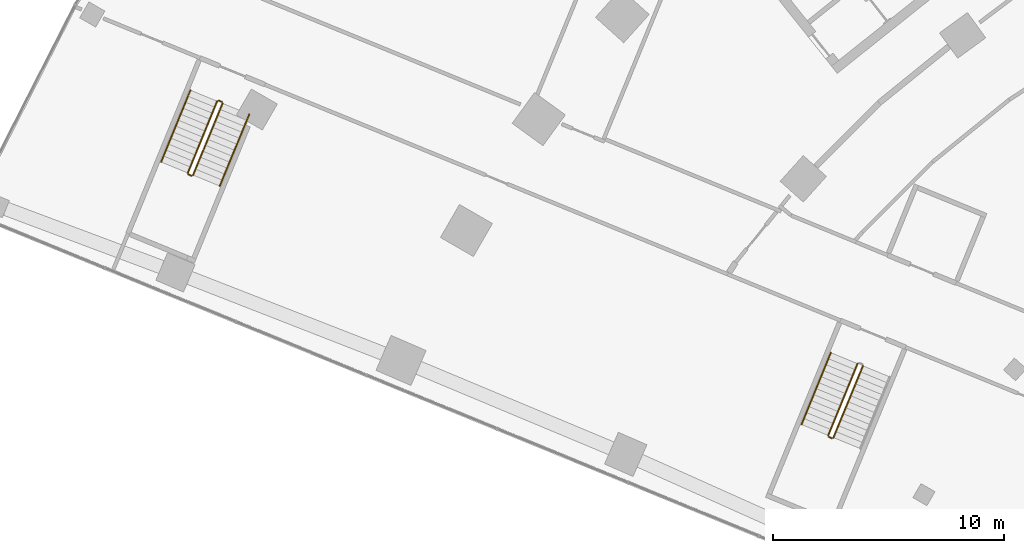
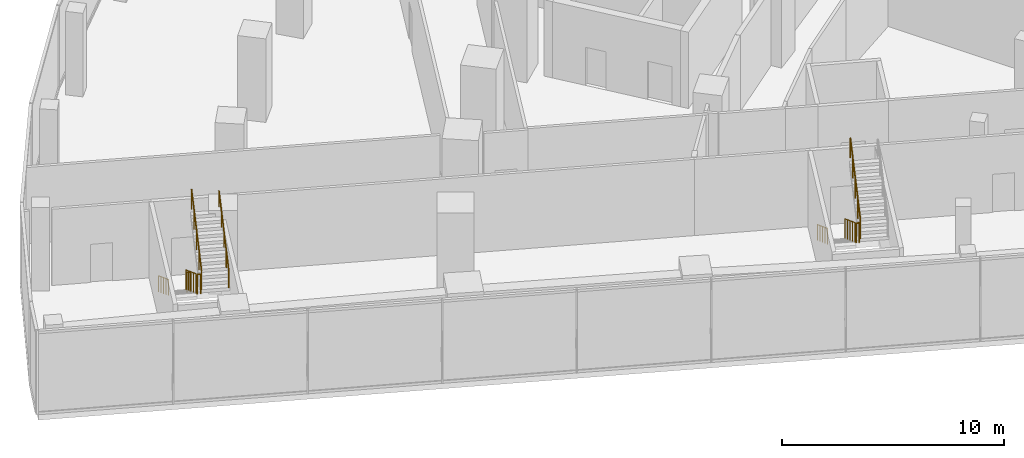
# One storey, part 32 of 39: 10 railings.
"""IFC4 building model written with IfcOpenShell, lengths in metres."""

from ifc_helpers import new_model, si_unit, direction, frame, origin, origin_2d, place, context, subcontext, project, spatial, circle, extrude, material, type_object, element, save


model = new_model("IFC4")

# Units and contexts
model_context = context("Model", 3, precision=1e-05, world=origin(), true_north=direction((0.0, 1.0)))
body_context = subcontext(model_context, "Body", "Model", "MODEL_VIEW")
ifc_project = project(units=[si_unit("LENGTHUNIT", "METRE"), si_unit("AREAUNIT", "SQUARE_METRE"), si_unit("VOLUMEUNIT", "CUBIC_METRE"), si_unit("PLANEANGLEUNIT", "RADIAN"), si_unit("MASSUNIT", "GRAM", prefix="KILO")], contexts=[model_context])

# Site, building, storey
site_placement = place(None, origin())
site = spatial("IfcSite", under=ifc_project, at=site_placement, CompositionType="ELEMENT")
building_placement = place(site_placement, origin())
building = spatial("IfcBuilding", under=site, at=building_placement, Name="Stone Belt Terrace Tower", CompositionType="ELEMENT")
storey_placement = place(building_placement, frame((0.0, 0.0, 16.199951171875)))
storey = spatial("IfcBuildingStorey", under=building, at=storey_placement, Name="L03", CompositionType="ELEMENT", Elevation=16.199951171875)

# Railings
ifc_material_1 = material(Name="Steel balustrade", Category="steel")
railing_type_1 = type_object("IfcRailingType", Name="Podium stair guard", PredefinedType="GUARDRAIL", material=ifc_material_1)
railing_1_placement = place(storey_placement, frame((-30.6767578125, 21.72705078125, 0.177001953125)))
element("IfcRailing", 1, at=railing_1_placement, inside=storey, type_object=railing_type_1, Name="L03 PS1 stair guard 1", PredefinedType="GUARDRAIL", context=body_context, shape_type="SweptSolid", body=[
    extrude(circle(Radius=0.02392578125, at=origin_2d()), frame((0.0, 0.0, 1.076171875), z_axis=(-0.320647790343, -0.782208613453, 0.534167276785), x_axis=(0.925275877227, -0.379294807533, 0.0)), (0.0, 0.0, 1.0), 3.974609375),
    extrude(circle(Radius=0.02099609375, at=origin_2d()), origin(), (0.0, 0.0, 1.0), 1.052001953125),
    extrude(circle(Radius=0.02099609375, at=origin_2d()), frame((-0.318603515625, -0.77734375, 0.53076171875)), (0.0, 0.0, 1.0), 1.052001953125),
    extrude(circle(Radius=0.02099609375, at=origin_2d()), frame((-0.63720703125, -1.554443359375, 1.0615234375)), (0.0, 0.0, 1.0), 1.052001953125),
    extrude(circle(Radius=0.02099609375, at=origin_2d()), frame((-0.955810546875, -2.33154296875, 1.59228515625)), (0.0, 0.0, 1.0), 1.052001953125),
    extrude(circle(Radius=0.02099609375, at=origin_2d()), frame((-1.2744140625, -3.10888671875, 2.123046875)), (0.0, 0.0, 1.0), 1.052001953125),
])
railing_2_placement = place(storey_placement, frame((-31.923828125, 18.552734375, 2.300048828125)))
element("IfcRailing", 2, at=railing_2_placement, inside=storey, type_object=railing_type_1, Name="L03 PS1 stair guard 2", PredefinedType="GUARDRAIL", context=body_context, shape_type="SweptSolid", body=[
    extrude(circle(Radius=0.02392578125, at=origin_2d()), frame((0.0, 0.0, 1.076171875), z_axis=(0.925417366351, -0.378949466362, 0.0), x_axis=(0.378949466362, 0.925417366351, 0.0)), (0.0, 0.0, 1.0), 0.150146484375),
    extrude(circle(Radius=0.02099609375, at=origin_2d()), origin(), (0.0, 0.0, 1.0), 1.052001953125),
    extrude(circle(Radius=0.02099609375, at=origin_2d()), frame((0.138916015625, -0.056884765625, 0.0)), (0.0, 0.0, 1.0), 1.052001953125),
])
railing_3_placement = place(storey_placement, frame((-31.7197265625, 18.523193359375, 2.47705078125)))
element("IfcRailing", 3, at=railing_3_placement, inside=storey, type_object=railing_type_1, Name="L03 PS1 stair guard 3", PredefinedType="GUARDRAIL", context=body_context, shape_type="SweptSolid", body=[
    extrude(circle(Radius=0.02392578125, at=origin_2d()), frame((0.0, 0.0, 1.076171875), z_axis=(0.320577273413, 0.782247859152, 0.534152130599), x_axis=(-0.92531182595, 0.379207100089, 0.0)), (0.0, 0.0, 1.0), 3.974609375),
    extrude(circle(Radius=0.02099609375, at=origin_2d()), origin(), (0.0, 0.0, 1.0), 1.052001953125),
    extrude(circle(Radius=0.02099609375, at=origin_2d()), frame((0.318603515625, 0.77734375, 0.53076171875)), (0.0, 0.0, 1.0), 1.052001953125),
    extrude(circle(Radius=0.02099609375, at=origin_2d()), frame((0.63720703125, 1.5546875, 1.0615234375)), (0.0, 0.0, 1.0), 1.052001953125),
    extrude(circle(Radius=0.02099609375, at=origin_2d()), frame((0.95556640625, 2.331787109375, 1.59228515625)), (0.0, 0.0, 1.0), 1.052001953125),
    extrude(circle(Radius=0.02099609375, at=origin_2d()), frame((1.274169921875, 3.109130859375, 2.123046875)), (0.0, 0.0, 1.0), 1.052001953125),
])
railing_4_placement = place(storey_placement, frame((-58.435791015625, 33.104248046875, 0.177001953125)))
element("IfcRailing", 4, at=railing_4_placement, inside=storey, type_object=railing_type_1, Name="L03 PS2 stair guard 1", PredefinedType="GUARDRAIL", context=body_context, shape_type="SweptSolid", body=[
    extrude(circle(Radius=0.02392578125, at=origin_2d()), frame((0.0, 0.0, 1.076171875), z_axis=(-0.320592677529, -0.782224019096, 0.53417779724), x_axis=(0.925301376681, -0.379232596584, 0.0)), (0.0, 0.0, 1.0), 3.974365234375),
    extrude(circle(Radius=0.02099609375, at=origin_2d()), origin(), (0.0, 0.0, 1.0), 1.052001953125),
    extrude(circle(Radius=0.02099609375, at=origin_2d()), frame((-0.318603515625, -0.77734375, 0.53076171875)), (0.0, 0.0, 1.0), 1.052001953125),
    extrude(circle(Radius=0.02099609375, at=origin_2d()), frame((-0.63720703125, -1.554443359375, 1.0615234375)), (0.0, 0.0, 1.0), 1.052001953125),
    extrude(circle(Radius=0.02099609375, at=origin_2d()), frame((-0.95556640625, -2.33154296875, 1.59228515625)), (0.0, 0.0, 1.0), 1.052001953125),
    extrude(circle(Radius=0.02099609375, at=origin_2d()), frame((-1.274169921875, -3.10888671875, 2.123046875)), (0.0, 0.0, 1.0), 1.052001953125),
])
railing_5_placement = place(storey_placement, frame((-59.6826171875, 29.93017578125, 2.300048828125)))
element("IfcRailing", 5, at=railing_5_placement, inside=storey, type_object=railing_type_1, Name="L03 PS2 stair guard 2", PredefinedType="GUARDRAIL", context=body_context, shape_type="SweptSolid", body=[
    extrude(circle(Radius=0.02392578125, at=origin_2d()), frame((0.0, 0.0, 1.076171875), z_axis=(0.925183283695, -0.379520607572, 0.0), x_axis=(0.379520607572, 0.925183283695, 0.0)), (0.0, 0.0, 1.0), 0.14990234375),
    extrude(circle(Radius=0.02099609375, at=origin_2d()), origin(), (0.0, 0.0, 1.0), 1.052001953125),
    extrude(circle(Radius=0.02099609375, at=origin_2d()), frame((0.138671875, -0.056884765625, 0.0)), (0.0, 0.0, 1.0), 1.052001953125),
])
railing_6_placement = place(storey_placement, frame((-59.478759765625, 29.900634765625, 2.47705078125)))
element("IfcRailing", 6, at=railing_6_placement, inside=storey, type_object=railing_type_1, Name="L03 PS2 stair guard 3", PredefinedType="GUARDRAIL", context=body_context, shape_type="SweptSolid", body=[
    extrude(circle(Radius=0.02392578125, at=origin_2d()), frame((0.0, 0.0, 1.076171875), z_axis=(0.320647790343, 0.782208613453, 0.534167276785), x_axis=(-0.925275877227, 0.379294807533, 0.0)), (0.0, 0.0, 1.0), 3.974609375),
    extrude(circle(Radius=0.02099609375, at=origin_2d()), origin(), (0.0, 0.0, 1.0), 1.052001953125),
    extrude(circle(Radius=0.02099609375, at=origin_2d()), frame((0.318603515625, 0.77734375, 0.53076171875)), (0.0, 0.0, 1.0), 1.052001953125),
    extrude(circle(Radius=0.02099609375, at=origin_2d()), frame((0.63720703125, 1.554443359375, 1.0615234375)), (0.0, 0.0, 1.0), 1.052001953125),
    extrude(circle(Radius=0.02099609375, at=origin_2d()), frame((0.955810546875, 2.33154296875, 1.59228515625)), (0.0, 0.0, 1.0), 1.052001953125),
    extrude(circle(Radius=0.02099609375, at=origin_2d()), frame((1.2744140625, 3.10888671875, 2.123046875)), (0.0, 0.0, 1.0), 1.052001953125),
])
railing_7_placement = place(storey_placement, frame((-58.37060546875, 33.131591796875, 0.0)))
element("IfcRailing", 7, at=railing_7_placement, inside=storey, type_object=railing_type_1, Name="L03 PS2 stair guard 4", PredefinedType="GUARDRAIL", context=body_context, shape_type="SweptSolid", body=[
    extrude(circle(Radius=0.02392578125, at=origin_2d()), frame((0.0, 0.0, 1.076171875), z_axis=(0.925417366351, -0.378949466362, 0.0), x_axis=(0.378949466362, 0.925417366351, 0.0)), (0.0, 0.0, 1.0), 0.150146484375),
    extrude(circle(Radius=0.02099609375, at=origin_2d()), origin(), (0.0, 0.0, 1.0), 1.052001953125),
    extrude(circle(Radius=0.02099609375, at=origin_2d()), frame((0.138916015625, -0.056884765625, 0.0)), (0.0, 0.0, 1.0), 1.052001953125),
])
ifc_material_2 = material(Name="Stainless steel handrail", Category="steel")
railing_type_2 = type_object("IfcRailingType", Name="Podium stair handrail", PredefinedType="HANDRAIL", material=ifc_material_2)
railing_8_placement = place(storey_placement, frame((-31.83349609375, 22.201171875, 0.177001953125)))
element("IfcRailing", 8, at=railing_8_placement, inside=storey, type_object=railing_type_2, Name="L03 PS1 stair handrail 1", PredefinedType="HANDRAIL", context=body_context, shape_type="SweptSolid", body=[
    extrude(circle(Radius=0.02392578125, at=origin_2d()), frame((0.0, 0.0, 0.8759765625), z_axis=(-0.320577273413, -0.782247859152, 0.534152130599), x_axis=(0.92531182595, -0.379207100089, 0.0)), (0.0, 0.0, 1.0), 3.974609375),
    extrude(circle(Radius=0.02099609375, at=origin_2d()), origin(), (0.0, 0.0, 1.0), 0.851806640625),
    extrude(circle(Radius=0.02099609375, at=origin_2d()), frame((-0.318603515625, -0.77734375, 0.53076171875)), (0.0, 0.0, 1.0), 0.851806640625),
    extrude(circle(Radius=0.02099609375, at=origin_2d()), frame((-0.63720703125, -1.5546875, 1.0615234375)), (0.0, 0.0, 1.0), 0.851806640625),
    extrude(circle(Radius=0.02099609375, at=origin_2d()), frame((-0.95556640625, -2.331787109375, 1.59228515625)), (0.0, 0.0, 1.0), 0.851806640625),
    extrude(circle(Radius=0.02099609375, at=origin_2d()), frame((-1.274169921875, -3.109130859375, 2.123046875)), (0.0, 0.0, 1.0), 0.851806640625),
])
railing_9_placement = place(storey_placement, frame((-59.59228515625, 33.578369140625, 0.177001953125)))
element("IfcRailing", 9, at=railing_9_placement, inside=storey, type_object=railing_type_2, Name="L03 PS2 stair handrail 1", PredefinedType="HANDRAIL", context=body_context, shape_type="SweptSolid", body=[
    extrude(circle(Radius=0.02392578125, at=origin_2d()), frame((0.0, 0.0, 0.8759765625), z_axis=(-0.320647790343, -0.782208613453, 0.534167276785), x_axis=(0.925275877227, -0.379294807533, 0.0)), (0.0, 0.0, 1.0), 3.974609375),
    extrude(circle(Radius=0.02099609375, at=origin_2d()), origin(), (0.0, 0.0, 1.0), 0.851806640625),
    extrude(circle(Radius=0.02099609375, at=origin_2d()), frame((-0.318603515625, -0.77734375, 0.53076171875)), (0.0, 0.0, 1.0), 0.851806640625),
    extrude(circle(Radius=0.02099609375, at=origin_2d()), frame((-0.63720703125, -1.554443359375, 1.0615234375)), (0.0, 0.0, 1.0), 0.851806640625),
    extrude(circle(Radius=0.02099609375, at=origin_2d()), frame((-0.955810546875, -2.33154296875, 1.59228515625)), (0.0, 0.0, 1.0), 0.851806640625),
    extrude(circle(Radius=0.02099609375, at=origin_2d()), frame((-1.2744140625, -3.10888671875, 2.123046875)), (0.0, 0.0, 1.0), 0.851806640625),
])
railing_10_placement = place(storey_placement, frame((-58.322021484375, 29.426513671875, 2.47705078125)))
element("IfcRailing", 10, at=railing_10_placement, inside=storey, type_object=railing_type_2, Name="L03 PS2 stair handrail 2", PredefinedType="HANDRAIL", context=body_context, shape_type="SweptSolid", body=[
    extrude(circle(Radius=0.02392578125, at=origin_2d()), frame((0.0, 0.0, 0.8759765625), z_axis=(0.320592677529, 0.782224019096, 0.53417779724), x_axis=(-0.925301376681, 0.379232596584, 0.0)), (0.0, 0.0, 1.0), 3.974365234375),
    extrude(circle(Radius=0.02099609375, at=origin_2d()), origin(), (0.0, 0.0, 1.0), 0.851806640625),
    extrude(circle(Radius=0.02099609375, at=origin_2d()), frame((0.318603515625, 0.77734375, 0.53076171875)), (0.0, 0.0, 1.0), 0.851806640625),
    extrude(circle(Radius=0.02099609375, at=origin_2d()), frame((0.63720703125, 1.554443359375, 1.0615234375)), (0.0, 0.0, 1.0), 0.851806640625),
    extrude(circle(Radius=0.02099609375, at=origin_2d()), frame((0.95556640625, 2.33154296875, 1.59228515625)), (0.0, 0.0, 1.0), 0.851806640625),
    extrude(circle(Radius=0.02099609375, at=origin_2d()), frame((1.274169921875, 3.10888671875, 2.123046875)), (0.0, 0.0, 1.0), 0.851806640625),
])

save(model, "model.ifc")
